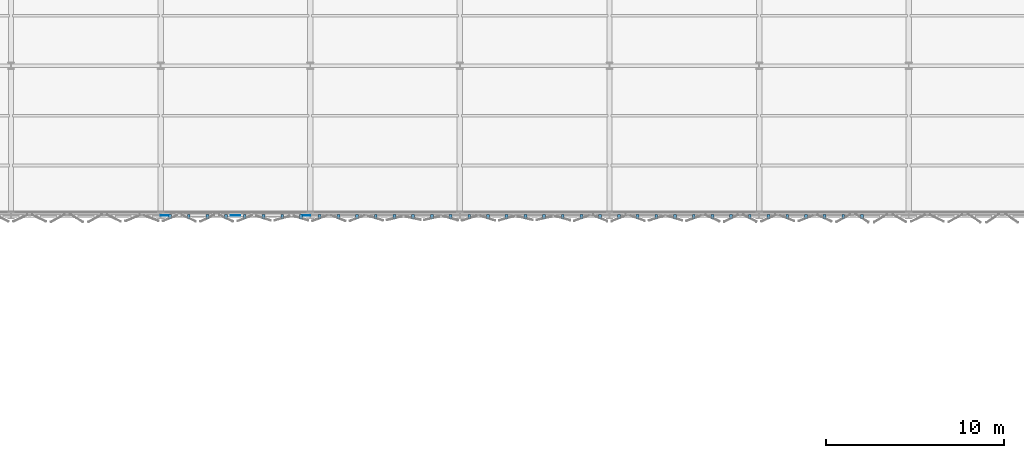
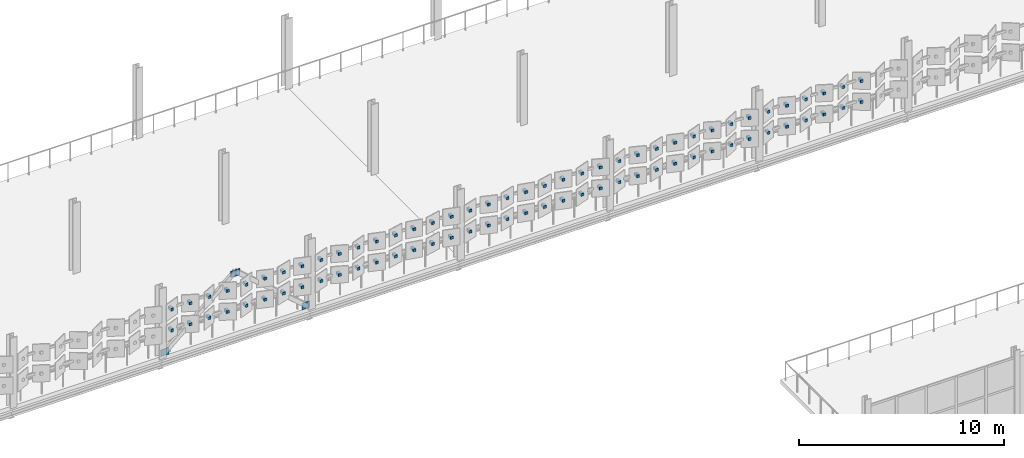
# One storey, part 169 of 184: 79 discrete accessories.
"""IFC4 building model written with IfcOpenShell, lengths in metres."""

from ifc_helpers import new_model, si_unit, direction, frame, origin, origin_2d, place, context, subcontext, project, spatial, rectangle, extrude, material, type_object, element, save


model = new_model("IFC4")

# Units and contexts
model_context = context("Model", 3, precision=1e-05, world=origin(), true_north=direction((0.0, 1.0)))
body_context = subcontext(model_context, "Body", "Model", "MODEL_VIEW")
ifc_project = project(units=[si_unit("LENGTHUNIT", "METRE"), si_unit("AREAUNIT", "SQUARE_METRE"), si_unit("VOLUMEUNIT", "CUBIC_METRE"), si_unit("PLANEANGLEUNIT", "RADIAN"), si_unit("MASSUNIT", "GRAM", prefix="KILO")], contexts=[model_context])

# Site, building, storey
site_placement = place(None, origin())
site = spatial("IfcSite", under=ifc_project, at=site_placement, CompositionType="ELEMENT")
building_placement = place(site_placement, origin())
building = spatial("IfcBuilding", under=site, at=building_placement, Name="Qalvenar Corner Mobility Hub", CompositionType="ELEMENT")
storey_placement = place(building_placement, frame((0.0, 0.0, 9.0)))
storey = spatial("IfcBuildingStorey", under=building, at=storey_placement, Name="L02", CompositionType="ELEMENT", Elevation=9.0)

# Discrete accessories
ifc_material = material(Name="Steel S355", Category="steel")
discrete_accessory_type_1 = type_object("IfcDiscreteAccessoryType", Name="ACC-GUSSET-PLT", PredefinedType="BRACKET", material=ifc_material)
discrete_accessory_placement = place(storey_placement, frame((88.199951171875, 67.199951171875, 3.330078125), z_axis=(0.0, 0.0, 1.0), x_axis=(1.0, 0.0, 0.0)))
element("IfcDiscreteAccessory", 1, at=discrete_accessory_placement, inside=storey, type_object=discrete_accessory_type_1, Name="Chevron Apex Gusset Plate GP-A-037", PredefinedType="BRACKET", context=body_context, shape_type="SweptSolid", body=[
    extrude(rectangle(XDim=0.52001953125, YDim=0.02490234375, at=origin_2d()), origin(), (0.0, 0.0, 1.0), 0.3798828125),
])
for number, where, z_axis, x_axis, name in (
    (2, (84.219970703125, 67.199951171875, 0.0), (0.0, 0.0, 1.0), (1.0, 0.0, 0.0), "Brace Base Gusset Plate GP-B-038"),
    (3, (92.179931640625, 67.199951171875, 0.0), (0.0, 0.0, 1.0), (1.0, 0.0, 0.0), "Brace Base Gusset Plate GP-B-039"),
):
    element("IfcDiscreteAccessory", number, at=place(storey_placement, frame(where, z_axis=z_axis, x_axis=x_axis)), inside=storey, type_object=discrete_accessory_type_1, Name=name, PredefinedType="BRACKET", context=body_context, shape_type="SweptSolid", body=[
        extrude(rectangle(XDim=0.449951171875, YDim=0.02490234375, at=origin_2d()), origin(), (0.0, 0.0, 1.0), 0.39990234375),
    ])
discrete_accessory_type_2 = type_object("IfcDiscreteAccessoryType", Name="ACC-HINGE-BRK", PredefinedType="BRACKET", material=ifc_material)
for number, where, z_axis, x_axis, name in (
    (4, (84.52490234375, 67.1201171875, 1.419921875), (0.0, 0.0, 1.0), (1.0, 0.0, 0.0), "Panel Hinge Bracket BK-L02-0393"),
    (5, (84.52490234375, 67.1201171875, 2.669921875), (0.0, 0.0, 1.0), (1.0, 0.0, 0.0), "Panel Hinge Bracket BK-L02-0394"),
    (6, (85.574951171875, 67.1201171875, 1.419921875), (0.0, 0.0, 1.0), (1.0, 0.0, 0.0), "Panel Hinge Bracket BK-L02-0395"),
    (7, (85.574951171875, 67.1201171875, 2.669921875), (0.0, 0.0, 1.0), (1.0, 0.0, 0.0), "Panel Hinge Bracket BK-L02-0396"),
    (8, (86.625, 67.1201171875, 1.419921875), (0.0, 0.0, 1.0), (1.0, 0.0, 0.0), "Panel Hinge Bracket BK-L02-0397"),
    (9, (86.625, 67.1201171875, 2.669921875), (0.0, 0.0, 1.0), (1.0, 0.0, 0.0), "Panel Hinge Bracket BK-L02-0398"),
    (10, (87.675048828125, 67.1201171875, 1.419921875), (0.0, 0.0, 1.0), (1.0, 0.0, 0.0), "Panel Hinge Bracket BK-L02-0399"),
    (11, (87.675048828125, 67.1201171875, 2.669921875), (0.0, 0.0, 1.0), (1.0, 0.0, 0.0), "Panel Hinge Bracket BK-L02-0400"),
    (12, (88.72509765625, 67.1201171875, 1.419921875), (0.0, 0.0, 1.0), (1.0, 0.0, 0.0), "Panel Hinge Bracket BK-L02-0401"),
    (13, (88.72509765625, 67.1201171875, 2.669921875), (0.0, 0.0, 1.0), (1.0, 0.0, 0.0), "Panel Hinge Bracket BK-L02-0402"),
    (14, (89.77490234375, 67.1201171875, 1.419921875), (0.0, 0.0, 1.0), (1.0, 0.0, 0.0), "Panel Hinge Bracket BK-L02-0403"),
    (15, (89.77490234375, 67.1201171875, 2.669921875), (0.0, 0.0, 1.0), (1.0, 0.0, 0.0), "Panel Hinge Bracket BK-L02-0404"),
    (16, (90.824951171875, 67.1201171875, 1.419921875), (0.0, 0.0, 1.0), (1.0, 0.0, 0.0), "Panel Hinge Bracket BK-L02-0405"),
    (17, (90.824951171875, 67.1201171875, 2.669921875), (0.0, 0.0, 1.0), (1.0, 0.0, 0.0), "Panel Hinge Bracket BK-L02-0406"),
    (18, (91.875, 67.1201171875, 1.419921875), (0.0, 0.0, 1.0), (1.0, 0.0, 0.0), "Panel Hinge Bracket BK-L02-0407"),
    (19, (91.875, 67.1201171875, 2.669921875), (0.0, 0.0, 1.0), (1.0, 0.0, 0.0), "Panel Hinge Bracket BK-L02-0408"),
    (20, (92.925048828125, 67.1201171875, 1.419921875), (0.0, 0.0, 1.0), (1.0, 0.0, 0.0), "Panel Hinge Bracket BK-L02-0409"),
    (21, (92.925048828125, 67.1201171875, 2.669921875), (0.0, 0.0, 1.0), (1.0, 0.0, 0.0), "Panel Hinge Bracket BK-L02-0410"),
    (22, (93.97509765625, 67.1201171875, 1.419921875), (0.0, 0.0, 1.0), (1.0, 0.0, 0.0), "Panel Hinge Bracket BK-L02-0411"),
    (23, (93.97509765625, 67.1201171875, 2.669921875), (0.0, 0.0, 1.0), (1.0, 0.0, 0.0), "Panel Hinge Bracket BK-L02-0412"),
    (24, (95.02490234375, 67.1201171875, 1.419921875), (0.0, 0.0, 1.0), (1.0, 0.0, 0.0), "Panel Hinge Bracket BK-L02-0413"),
    (25, (95.02490234375, 67.1201171875, 2.669921875), (0.0, 0.0, 1.0), (1.0, 0.0, 0.0), "Panel Hinge Bracket BK-L02-0414"),
    (26, (96.074951171875, 67.1201171875, 1.419921875), (0.0, 0.0, 1.0), (1.0, 0.0, 0.0), "Panel Hinge Bracket BK-L02-0415"),
    (27, (96.074951171875, 67.1201171875, 2.669921875), (0.0, 0.0, 1.0), (1.0, 0.0, 0.0), "Panel Hinge Bracket BK-L02-0416"),
    (28, (97.125, 67.1201171875, 1.419921875), (0.0, 0.0, 1.0), (1.0, 0.0, 0.0), "Panel Hinge Bracket BK-L02-0417"),
    (29, (97.125, 67.1201171875, 2.669921875), (0.0, 0.0, 1.0), (1.0, 0.0, 0.0), "Panel Hinge Bracket BK-L02-0418"),
    (30, (98.175048828125, 67.1201171875, 1.419921875), (0.0, 0.0, 1.0), (1.0, 0.0, 0.0), "Panel Hinge Bracket BK-L02-0419"),
    (31, (98.175048828125, 67.1201171875, 2.669921875), (0.0, 0.0, 1.0), (1.0, 0.0, 0.0), "Panel Hinge Bracket BK-L02-0420"),
    (32, (99.22509765625, 67.1201171875, 1.419921875), (0.0, 0.0, 1.0), (1.0, 0.0, 0.0), "Panel Hinge Bracket BK-L02-0421"),
    (33, (99.22509765625, 67.1201171875, 2.669921875), (0.0, 0.0, 1.0), (1.0, 0.0, 0.0), "Panel Hinge Bracket BK-L02-0422"),
    (34, (100.27490234375, 67.1201171875, 1.419921875), (0.0, 0.0, 1.0), (1.0, 0.0, 0.0), "Panel Hinge Bracket BK-L02-0423"),
    (35, (100.27490234375, 67.1201171875, 2.669921875), (0.0, 0.0, 1.0), (1.0, 0.0, 0.0), "Panel Hinge Bracket BK-L02-0424"),
    (36, (101.324951171875, 67.1201171875, 1.419921875), (0.0, 0.0, 1.0), (1.0, 0.0, 0.0), "Panel Hinge Bracket BK-L02-0425"),
    (37, (101.324951171875, 67.1201171875, 2.669921875), (0.0, 0.0, 1.0), (1.0, 0.0, 0.0), "Panel Hinge Bracket BK-L02-0426"),
    (38, (102.375, 67.1201171875, 1.419921875), (0.0, 0.0, 1.0), (1.0, 0.0, 0.0), "Panel Hinge Bracket BK-L02-0427"),
    (39, (102.375, 67.1201171875, 2.669921875), (0.0, 0.0, 1.0), (1.0, 0.0, 0.0), "Panel Hinge Bracket BK-L02-0428"),
    (40, (103.425048828125, 67.1201171875, 1.419921875), (0.0, 0.0, 1.0), (1.0, 0.0, 0.0), "Panel Hinge Bracket BK-L02-0429"),
    (41, (103.425048828125, 67.1201171875, 2.669921875), (0.0, 0.0, 1.0), (1.0, 0.0, 0.0), "Panel Hinge Bracket BK-L02-0430"),
    (42, (104.47509765625, 67.1201171875, 1.419921875), (0.0, 0.0, 1.0), (1.0, 0.0, 0.0), "Panel Hinge Bracket BK-L02-0431"),
    (43, (104.47509765625, 67.1201171875, 2.669921875), (0.0, 0.0, 1.0), (1.0, 0.0, 0.0), "Panel Hinge Bracket BK-L02-0432"),
    (44, (105.52490234375, 67.1201171875, 1.419921875), (0.0, 0.0, 1.0), (1.0, 0.0, 0.0), "Panel Hinge Bracket BK-L02-0433"),
    (45, (105.52490234375, 67.1201171875, 2.669921875), (0.0, 0.0, 1.0), (1.0, 0.0, 0.0), "Panel Hinge Bracket BK-L02-0434"),
    (46, (106.574951171875, 67.1201171875, 1.419921875), (0.0, 0.0, 1.0), (1.0, 0.0, 0.0), "Panel Hinge Bracket BK-L02-0435"),
    (47, (106.574951171875, 67.1201171875, 2.669921875), (0.0, 0.0, 1.0), (1.0, 0.0, 0.0), "Panel Hinge Bracket BK-L02-0436"),
    (48, (107.625, 67.1201171875, 1.419921875), (0.0, 0.0, 1.0), (1.0, 0.0, 0.0), "Panel Hinge Bracket BK-L02-0437"),
    (49, (107.625, 67.1201171875, 2.669921875), (0.0, 0.0, 1.0), (1.0, 0.0, 0.0), "Panel Hinge Bracket BK-L02-0438"),
    (50, (108.675048828125, 67.1201171875, 1.419921875), (0.0, 0.0, 1.0), (1.0, 0.0, 0.0), "Panel Hinge Bracket BK-L02-0439"),
    (51, (108.675048828125, 67.1201171875, 2.669921875), (0.0, 0.0, 1.0), (1.0, 0.0, 0.0), "Panel Hinge Bracket BK-L02-0440"),
    (52, (109.72509765625, 67.1201171875, 1.419921875), (0.0, 0.0, 1.0), (1.0, 0.0, 0.0), "Panel Hinge Bracket BK-L02-0441"),
    (53, (109.72509765625, 67.1201171875, 2.669921875), (0.0, 0.0, 1.0), (1.0, 0.0, 0.0), "Panel Hinge Bracket BK-L02-0442"),
    (54, (110.77490234375, 67.1201171875, 1.419921875), (0.0, 0.0, 1.0), (1.0, 0.0, 0.0), "Panel Hinge Bracket BK-L02-0443"),
    (55, (110.77490234375, 67.1201171875, 2.669921875), (0.0, 0.0, 1.0), (1.0, 0.0, 0.0), "Panel Hinge Bracket BK-L02-0444"),
    (56, (111.824951171875, 67.1201171875, 1.419921875), (0.0, 0.0, 1.0), (1.0, 0.0, 0.0), "Panel Hinge Bracket BK-L02-0445"),
    (57, (111.824951171875, 67.1201171875, 2.669921875), (0.0, 0.0, 1.0), (1.0, 0.0, 0.0), "Panel Hinge Bracket BK-L02-0446"),
    (58, (112.875, 67.1201171875, 1.419921875), (0.0, 0.0, 1.0), (1.0, 0.0, 0.0), "Panel Hinge Bracket BK-L02-0447"),
    (59, (112.875, 67.1201171875, 2.669921875), (0.0, 0.0, 1.0), (1.0, 0.0, 0.0), "Panel Hinge Bracket BK-L02-0448"),
    (60, (113.925048828125, 67.1201171875, 1.419921875), (0.0, 0.0, 1.0), (1.0, 0.0, 0.0), "Panel Hinge Bracket BK-L02-0449"),
    (61, (113.925048828125, 67.1201171875, 2.669921875), (0.0, 0.0, 1.0), (1.0, 0.0, 0.0), "Panel Hinge Bracket BK-L02-0450"),
    (62, (114.97509765625, 67.1201171875, 1.419921875), (0.0, 0.0, 1.0), (1.0, 0.0, 0.0), "Panel Hinge Bracket BK-L02-0451"),
    (63, (114.97509765625, 67.1201171875, 2.669921875), (0.0, 0.0, 1.0), (1.0, 0.0, 0.0), "Panel Hinge Bracket BK-L02-0452"),
    (64, (116.02490234375, 67.1201171875, 1.419921875), (0.0, 0.0, 1.0), (1.0, 0.0, 0.0), "Panel Hinge Bracket BK-L02-0453"),
    (65, (116.02490234375, 67.1201171875, 2.669921875), (0.0, 0.0, 1.0), (1.0, 0.0, 0.0), "Panel Hinge Bracket BK-L02-0454"),
    (66, (117.074951171875, 67.1201171875, 1.419921875), (0.0, 0.0, 1.0), (1.0, 0.0, 0.0), "Panel Hinge Bracket BK-L02-0455"),
    (67, (117.074951171875, 67.1201171875, 2.669921875), (0.0, 0.0, 1.0), (1.0, 0.0, 0.0), "Panel Hinge Bracket BK-L02-0456"),
    (68, (118.125, 67.1201171875, 1.419921875), (0.0, 0.0, 1.0), (1.0, 0.0, 0.0), "Panel Hinge Bracket BK-L02-0457"),
    (69, (118.125, 67.1201171875, 2.669921875), (0.0, 0.0, 1.0), (1.0, 0.0, 0.0), "Panel Hinge Bracket BK-L02-0458"),
    (70, (119.175048828125, 67.1201171875, 1.419921875), (0.0, 0.0, 1.0), (1.0, 0.0, 0.0), "Panel Hinge Bracket BK-L02-0459"),
    (71, (119.175048828125, 67.1201171875, 2.669921875), (0.0, 0.0, 1.0), (1.0, 0.0, 0.0), "Panel Hinge Bracket BK-L02-0460"),
    (72, (120.22509765625, 67.1201171875, 1.419921875), (0.0, 0.0, 1.0), (1.0, 0.0, 0.0), "Panel Hinge Bracket BK-L02-0461"),
    (73, (120.22509765625, 67.1201171875, 2.669921875), (0.0, 0.0, 1.0), (1.0, 0.0, 0.0), "Panel Hinge Bracket BK-L02-0462"),
    (74, (121.27490234375, 67.1201171875, 1.419921875), (0.0, 0.0, 1.0), (1.0, 0.0, 0.0), "Panel Hinge Bracket BK-L02-0463"),
    (75, (121.27490234375, 67.1201171875, 2.669921875), (0.0, 0.0, 1.0), (1.0, 0.0, 0.0), "Panel Hinge Bracket BK-L02-0464"),
    (76, (122.324951171875, 67.1201171875, 1.419921875), (0.0, 0.0, 1.0), (1.0, 0.0, 0.0), "Panel Hinge Bracket BK-L02-0465"),
    (77, (122.324951171875, 67.1201171875, 2.669921875), (0.0, 0.0, 1.0), (1.0, 0.0, 0.0), "Panel Hinge Bracket BK-L02-0466"),
    (78, (123.375, 67.1201171875, 1.419921875), (0.0, 0.0, 1.0), (1.0, 0.0, 0.0), "Panel Hinge Bracket BK-L02-0467"),
    (79, (123.375, 67.1201171875, 2.669921875), (0.0, 0.0, 1.0), (1.0, 0.0, 0.0), "Panel Hinge Bracket BK-L02-0468"),
):
    element("IfcDiscreteAccessory", number, at=place(storey_placement, frame(where, z_axis=z_axis, x_axis=x_axis)), inside=storey, type_object=discrete_accessory_type_2, Name=name, PredefinedType="BRACKET", context=body_context, shape_type="SweptSolid", body=[
        extrude(rectangle(XDim=0.159912109375, YDim=0.260009765625, at=origin_2d()), origin(), (0.0, 0.0, 1.0), 0.159912109375),
    ])

save(model, "model.ifc")
